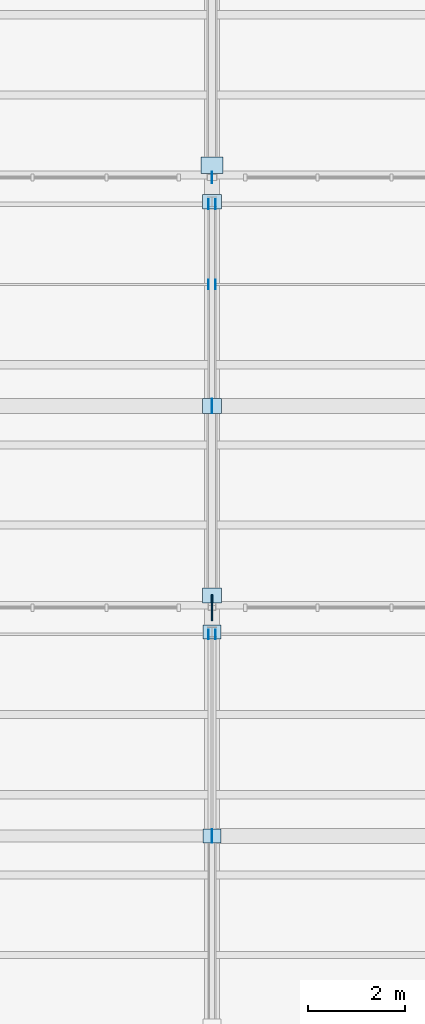
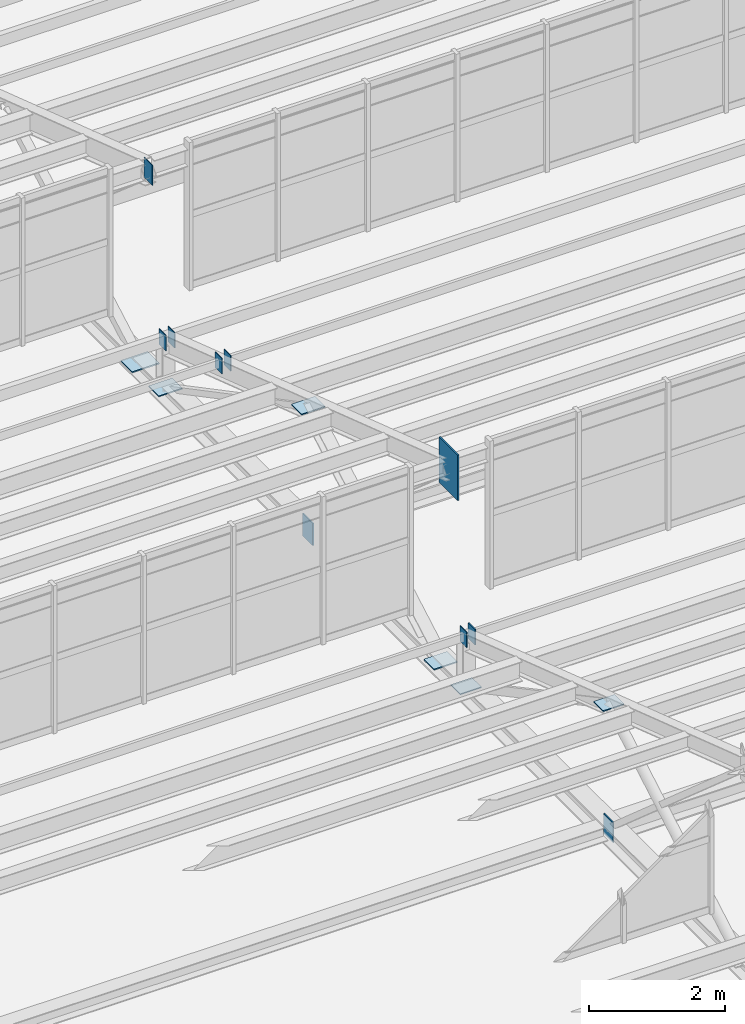
# One storey, part 218 of 285: 16 plates.
"""IFC4 building model written with IfcOpenShell, lengths in metres."""

from ifc_helpers import new_model, si_unit, direction, frame, origin, origin_2d, place, context, subcontext, project, spatial, rectangle, extrude, material, layer, layer_set, type_object, element, save


model = new_model("IFC4")

# Units and contexts
model_context = context("Model", 3, precision=1e-05, world=origin(), true_north=direction((0.0, 1.0)))
body_context = subcontext(model_context, "Body", "Model", "MODEL_VIEW")
ifc_project = project(units=[si_unit("LENGTHUNIT", "METRE"), si_unit("AREAUNIT", "SQUARE_METRE"), si_unit("VOLUMEUNIT", "CUBIC_METRE"), si_unit("PLANEANGLEUNIT", "RADIAN"), si_unit("MASSUNIT", "GRAM", prefix="KILO")], contexts=[model_context])

# Site, building, storey
site_placement = place(None, origin())
site = spatial("IfcSite", under=ifc_project, at=site_placement, CompositionType="ELEMENT")
building_placement = place(site_placement, origin())
building = spatial("IfcBuilding", under=site, at=building_placement, Name="Solanera Park Tramway Depot", CompositionType="ELEMENT")
storey_placement = place(building_placement, origin())
storey = spatial("IfcBuildingStorey", under=building, at=storey_placement, Name="L00", CompositionType="ELEMENT", Elevation=0.0)

# Plates
ifc_material_1 = material(Name="Steel AS/NZS 3679.1 Grade 350", Category="steel")
ifc_layer_1 = layer(ifc_material_1, 0.013916015625)
ifc_layer_set_1 = layer_set([ifc_layer_1], Name="Steel AS/NZS 3679.1 Grade 350")
plate_type_1 = type_object("IfcPlateType", Name="Hollow End Cap and Base Plate 280x200x14", PredefinedType="USERDEFINED", material=ifc_layer_set_1)
for number, where, z_axis, x_axis, name in (
    (1, (74.927978515625, 99.449951171875, 7.30615234375), (0.0, 0.0, 1.0), (1.0, 0.0, 0.0), "Hollow Section Welded End Cap Plate #0490"),
    (2, (75.072021484375, 99.449951171875, 7.30615234375), (0.0, 0.0, 1.0), (1.0, 0.0, 0.0), "Hollow Section Welded End Cap Plate #0491"),
    (3, (74.92529296875, 106.64990234375, 7.8583984375), (0.0, 0.0, 1.0), (1.0, 0.0, 0.0), "Hollow Section Welded End Cap Plate #0581"),
    (4, (75.07470703125, 106.64990234375, 7.8583984375), (0.0, 0.0, 1.0), (1.0, 0.0, 0.0), "Hollow Section Welded End Cap Plate #0582"),
    (5, (74.92529296875, 108.300048828125, 7.27294921875), (0.0, 0.0, 1.0), (1.0, 0.0, 0.0), "Hollow Section Welded End Cap Plate #0601"),
    (6, (75.07470703125, 108.300048828125, 7.27294921875), (0.0, 0.0, 1.0), (1.0, 0.0, 0.0), "Hollow Section Welded End Cap Plate #0602"),
):
    element("IfcPlate", number, at=place(storey_placement, frame(where, z_axis=z_axis, x_axis=x_axis)), inside=storey, type_object=plate_type_1, Name=name, ObjectType="BASE PLATE", PredefinedType="USERDEFINED", context=body_context, shape_type="SweptSolid", body=[
        extrude(rectangle(XDim=0.013916015625, YDim=0.199951171875, at=origin_2d()), origin(), (0.0, 0.0, 1.0), 0.280029296875),
    ])
ifc_material_2 = material(Name="Steel AS/NZS 3679.1 Grade 350", Category="steel")
ifc_layer_2 = layer(ifc_material_2, 0.01806640625)
ifc_layer_set_2 = layer_set([ifc_layer_2], Name="Steel AS/NZS 3679.1 Grade 350")
plate_type_2 = type_object("IfcPlateType", Name="Hollow End Cap and Base Plate 360x280x18", PredefinedType="USERDEFINED", material=ifc_layer_set_2)
plate_1_placement = place(storey_placement, frame((75.0, 95.300048828125, 6.31982421875), z_axis=(0.0, 0.0, 1.0), x_axis=(1.0, 0.0, 0.0)))
element("IfcPlate", 7, at=plate_1_placement, inside=storey, type_object=plate_type_2, Name="Sawtooth Truss Hollow End Cap #0452", ObjectType="BASE PLATE", PredefinedType="USERDEFINED", context=body_context, shape_type="SweptSolid", body=[
    extrude(rectangle(XDim=0.01806640625, YDim=0.280029296875, at=origin_2d()), origin(), (0.0, 0.0, 1.0), 0.360107421875),
])
for number, where, z_axis, x_axis, name in (
    (8, (75.0, 99.5, 6.490966796875), (0.0, 0.0, 1.0), (1.0, 0.0, 0.0), "Sawtooth Truss Node Cap Plate #0453"),
    (9, (75.0, 95.300048828125, 8.733642578125), (0.0, 0.0, 1.0), (1.0, 0.0, 0.0), "Sawtooth Truss Node Cap Plate #0454"),
):
    element("IfcPlate", number, at=place(storey_placement, frame(where, z_axis=z_axis, x_axis=x_axis)), inside=storey, type_object=plate_type_2, Name=name, ObjectType="BASE PLATE", PredefinedType="USERDEFINED", context=body_context, shape_type="SweptSolid", body=[
        extrude(rectangle(XDim=0.360107421875, YDim=0.280029296875, at=origin_2d()), origin(), (0.0, 0.0, 1.0), 0.01806640625),
    ])
ifc_material_3 = material(Name="Steel AS/NZS 3679.1 Grade 350", Category="steel")
ifc_layer_3 = layer(ifc_material_3, 0.02001953125)
ifc_layer_set_3 = layer_set([ifc_layer_3], Name="Steel AS/NZS 3679.1 Grade 350")
plate_type_3 = type_object("IfcPlateType", Name="Hollow End Cap and Base Plate 400x300x20", PredefinedType="USERDEFINED", material=ifc_layer_set_3)
plate_2_placement = place(storey_placement, frame((75.0, 104.14990234375, 6.300048828125), z_axis=(0.0, 0.0, 1.0), x_axis=(1.0, 0.0, 0.0)))
element("IfcPlate", 10, at=plate_2_placement, inside=storey, type_object=plate_type_3, Name="Sawtooth Truss Hollow End Cap #0543", ObjectType="BASE PLATE", PredefinedType="USERDEFINED", context=body_context, shape_type="SweptSolid", body=[
    extrude(rectangle(XDim=0.02001953125, YDim=0.300048828125, at=origin_2d()), origin(), (0.0, 0.0, 1.0), 0.39990234375),
])
for number, where, z_axis, x_axis, name in (
    (11, (75.0, 108.35009765625, 6.489990234375), (0.0, 0.0, 1.0), (1.0, 0.0, 0.0), "Sawtooth Truss Node Cap Plate #0544"),
    (12, (75.0, 104.14990234375, 8.70849609375), (0.0, 0.0, 1.0), (1.0, 0.0, 0.0), "Sawtooth Truss Node Cap Plate #0545"),
    (13, (75.0, 100.25, 6.489990234375), (0.0, 0.0, 1.0), (1.0, 0.0, 0.0), "Sawtooth Truss Node Cap Plate #0546"),
):
    element("IfcPlate", number, at=place(storey_placement, frame(where, z_axis=z_axis, x_axis=x_axis)), inside=storey, type_object=plate_type_3, Name=name, ObjectType="BASE PLATE", PredefinedType="USERDEFINED", context=body_context, shape_type="SweptSolid", body=[
        extrude(rectangle(XDim=0.39990234375, YDim=0.300048828125, at=origin_2d()), origin(), (0.0, 0.0, 1.0), 0.02001953125),
    ])
ifc_material_4 = material(Name="Steel AS/NZS 3679.1 Grade 350", Category="steel")
ifc_layer_4 = layer(ifc_material_4, 0.02197265625)
ifc_layer_set_4 = layer_set([ifc_layer_4], Name="Steel AS/NZS 3679.1 Grade 350")
plate_type_4 = type_object("IfcPlateType", Name="Hollow End Cap and Base Plate 460x340x22", PredefinedType="USERDEFINED", material=ifc_layer_set_4)
plate_3_placement = place(storey_placement, frame((75.0, 109.10009765625, 6.489013671875), z_axis=(0.0, 0.0, 1.0), x_axis=(1.0, 0.0, 0.0)))
element("IfcPlate", 14, at=plate_3_placement, inside=storey, type_object=plate_type_4, Name="Sawtooth Truss Node Cap Plate #0657", ObjectType="BASE PLATE", PredefinedType="USERDEFINED", context=body_context, shape_type="SweptSolid", body=[
    extrude(rectangle(XDim=0.4599609375, YDim=0.340087890625, at=origin_2d()), origin(), (0.0, 0.0, 1.0), 0.02197265625),
])
ifc_material_5 = material(Name="Steel AS/NZS 3679.1 Grade 350", Category="steel")
ifc_layer_5 = layer(ifc_material_5, 0.013916015625)
ifc_layer_set_5 = layer_set([ifc_layer_5], Name="Steel AS/NZS 3679.1 Grade 350")
plate_type_5 = type_object("IfcPlateType", Name="Truss Node Gusset Stiffener 360x240x14", PredefinedType="SHEET", material=ifc_layer_set_5)
plate_4_placement = place(storey_placement, frame((75.0, 108.85009765625, 9.9013671875), z_axis=(0.0, 0.0, 1.0), x_axis=(1.0, 0.0, 0.0)))
element("IfcPlate", 15, at=plate_4_placement, inside=storey, type_object=plate_type_5, Name="Sawtooth Truss Apex Gusset Plate #0653", PredefinedType="SHEET", context=body_context, shape_type="SweptSolid", body=[
    extrude(rectangle(XDim=0.013916015625, YDim=0.239990234375, at=origin_2d()), origin(), (0.0, 0.0, 1.0), 0.360107421875),
])
ifc_material_6 = material(Name="Steel AS/NZS 3679.1 Grade 350", Category="steel")
ifc_layer_6 = layer(ifc_material_6, 0.028076171875)
ifc_layer_set_6 = layer_set([ifc_layer_6], Name="Steel AS/NZS 3679.1 Grade 350")
plate_type_6 = type_object("IfcPlateType", Name="Truss Node Gusset Stiffener 820x540x28", PredefinedType="SHEET", material=ifc_layer_set_6)
plate_5_placement = place(storey_placement, frame((75.0, 100.0, 9.69677734375), z_axis=(0.0, 0.0, 1.0), x_axis=(1.0, 0.0, 0.0)))
element("IfcPlate", 16, at=plate_5_placement, inside=storey, type_object=plate_type_6, Name="Sawtooth Truss Apex Gusset Plate #0542", PredefinedType="SHEET", context=body_context, shape_type="SweptSolid", body=[
    extrude(rectangle(XDim=0.028076171875, YDim=0.5400390625, at=origin_2d()), origin(), (0.0, 0.0, 1.0), 0.820068359375),
])

save(model, "model.ifc")
